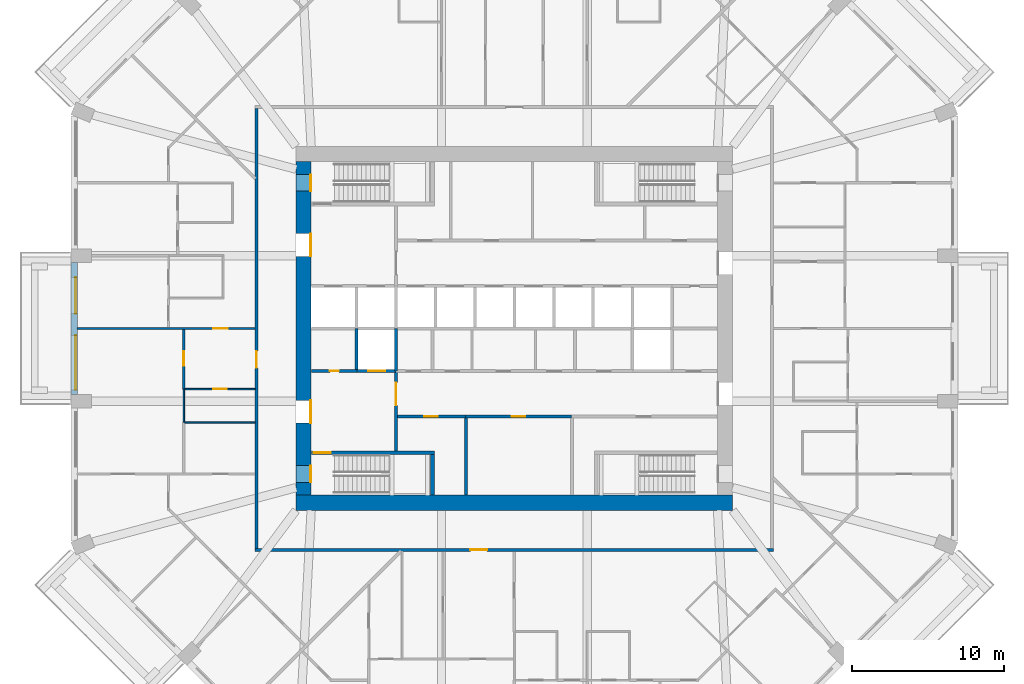
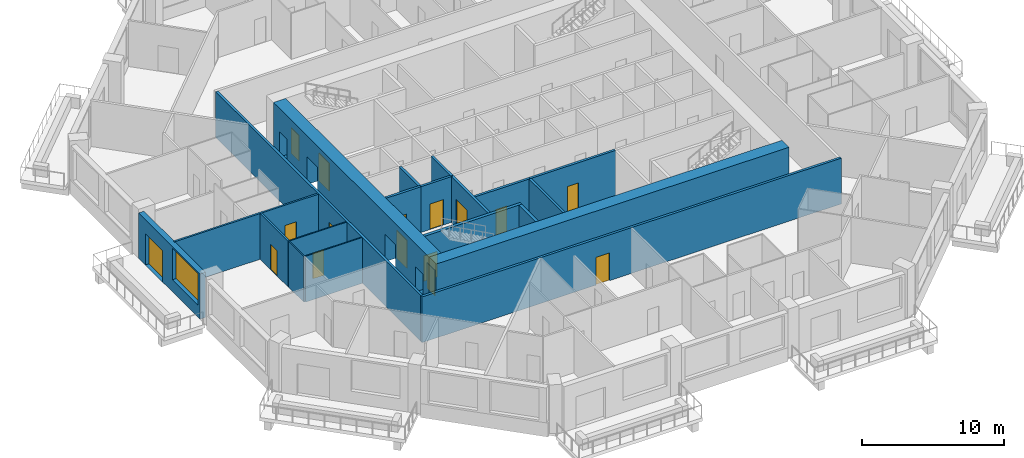
# One storey, part 4 of 13: 20 walls, 16 doors, 1 window, 17 openings.
"""IFC4 building model written with IfcOpenShell, lengths in metres."""

from ifc_helpers import new_model, si_unit, direction, frame, frame_2d, origin, place, context, subcontext, project, spatial, rectangle, extrude, material, layer, layer_set, type_object, element, fill, save


model = new_model("IFC4")

# Units and contexts
model_context = context("Model", 3, precision=1e-05, world=origin(), true_north=direction((0.0, 1.0)))
body_context = subcontext(model_context, "Body", "Model", "MODEL_VIEW")
ifc_project = project(units=[si_unit("LENGTHUNIT", "METRE"), si_unit("AREAUNIT", "SQUARE_METRE"), si_unit("VOLUMEUNIT", "CUBIC_METRE"), si_unit("PLANEANGLEUNIT", "RADIAN"), si_unit("MASSUNIT", "GRAM", prefix="KILO")], contexts=[model_context])

# Site, building, storey
site_placement = place(None, origin())
site = spatial("IfcSite", under=ifc_project, at=site_placement, CompositionType="ELEMENT")
building_placement = place(site_placement, origin())
building = spatial("IfcBuilding", under=site, at=building_placement, Name="Msitu Wima Residences", CompositionType="ELEMENT")
storey_placement = place(building_placement, frame((0.0, 0.0, 75.89990234375)))
storey = spatial("IfcBuildingStorey", under=building, at=storey_placement, Name="L17", CompositionType="ELEMENT", Elevation=75.89990234375)

# Wall, openings, door, window
ifc_material_1 = material(Name="Brick (red buff mix)", Category="masonry")
ifc_layer_1 = layer(ifc_material_1, 0.449951171875)
ifc_layer_set_1 = layer_set([ifc_layer_1], Name="Brick (red buff mix)")
wall_type_1 = type_object("IfcWallType", Name="Brick infill wall BW450", PredefinedType="SOLIDWALL", material=ifc_layer_set_1)
wall_1_placement = place(storey_placement, frame((-29.02490234375, 4.35009765625, 0.0), z_axis=(0.0, 0.0, 1.0), x_axis=(0.0, -1.0, 0.0)))
wall_1 = element("IfcWall", 1, at=wall_1_placement, inside=storey, type_object=wall_type_1, Name="Brick infill wall L17 W1", PredefinedType="SOLIDWALL", context=body_context, shape_type="SweptSolid", body=[
    extrude(rectangle(XDim=8.7001953125, YDim=0.449951171875, at=frame_2d((4.35009765625, 0.0))), origin(), (0.0, 0.0, 1.0), 3.900146484375),
])
opening_1_placement = place(wall_1_placement, frame((0.97509765625, 0.0, 0.0)))
opening_1 = element("IfcOpeningElement", 2, at=opening_1_placement, cuts=wall_1, Name="Opening D16-17.010", PredefinedType="OPENING", context=body_context, shape_type="SweptSolid", body=[
    extrude(rectangle(XDim=2.39990234375, YDim=2.699951171875, at=frame_2d((1.199951171875, 1.35009765625))), frame((0.0, 0.23486328125, 0.0), z_axis=(0.0, -1.0, 0.0), x_axis=(1.0, 0.0, 0.0)), (0.0, 0.0, 1.0), 0.469970703125),
])
opening_2_placement = place(wall_1_placement, frame((4.800048828125, 0.0, 1.050048828125)))
opening_2 = element("IfcOpeningElement", 3, at=opening_2_placement, cuts=wall_1, Name="Opening W16-17.028", PredefinedType="OPENING", context=body_context, shape_type="SweptSolid", body=[
    extrude(rectangle(XDim=3.60009765625, YDim=2.699951171875, at=frame_2d((1.800048828125, 1.35009765625))), frame((0.0, 0.23486328125, 0.0), z_axis=(0.0, -1.0, 0.0), x_axis=(1.0, 0.0, 0.0)), (0.0, 0.0, 1.0), 0.469970703125),
])
ifc_material_2 = material(Name="Anodised aluminium, bronze finish, clear low-emissivity double glazing", Category="aluminium")
door_type_1 = type_object("IfcDoorType", Name="Balcony door D2400x2700", OperationType="SLIDING_TO_LEFT", PredefinedType="DOOR", material=ifc_material_2)
door_1_placement = place(opening_1_placement, origin())
door_1 = element("IfcDoor", 4, at=door_1_placement, inside=storey, type_object=door_type_1, Name="Balcony door L17 W1", OperationType="SINGLE_SWING_LEFT", OverallHeight=2.699951171875, OverallWidth=2.39990234375, PredefinedType="DOOR", context=body_context, shape_type="SweptSolid", body=[
    extrude(rectangle(XDim=2.39990234375, YDim=2.699951171875, at=frame_2d((1.199951171875, 1.35009765625))), frame((0.0, 0.1298828125, 0.0), z_axis=(0.0, -1.0, 0.0), x_axis=(1.0, 0.0, 0.0)), (0.0, 0.0, 1.0), 0.050048828125),
])
fill(opening_1, door_1)
window_type = type_object("IfcWindowType", Name="Window W3600x2700", PartitioningType="DOUBLE_PANEL_VERTICAL", PredefinedType="WINDOW", material=ifc_material_2)
window_placement = place(opening_2_placement, origin())
window = element("IfcWindow", 5, at=window_placement, inside=storey, type_object=window_type, Name="Window L17 W1.2", OverallHeight=2.699951171875, OverallWidth=3.60009765625, PartitioningType="SINGLE_PANEL", PredefinedType="WINDOW", context=body_context, shape_type="SweptSolid", body=[
    extrude(rectangle(XDim=3.60009765625, YDim=2.699951171875, at=frame_2d((1.800048828125, 1.35009765625))), frame((0.0, 0.135009765625, 0.0), z_axis=(0.0, -1.0, 0.0), x_axis=(1.0, 0.0, 0.0)), (0.0, 0.0, 1.0), 0.06005859375),
])
fill(opening_2, window)

# Wall
ifc_material_3 = material(Name="Concrete C80/95", Category="concrete")
ifc_layer_2 = layer(ifc_material_3, 1.0)
ifc_layer_set_2 = layer_set([ifc_layer_2], Name="Concrete C80/95")
wall_type_2 = type_object("IfcWallType", Name="Core wall CW1000 C80/95", PredefinedType="SHEAR", material=ifc_layer_set_2)
wall_2_placement = place(storey_placement, frame((-14.39990234375, -11.5, 0.0), z_axis=(0.0, 0.0, 1.0), x_axis=(1.0, 0.0, 0.0)))
element("IfcWall", 6, at=wall_2_placement, inside=storey, type_object=wall_type_2, Name="Core wall", PredefinedType="SHEAR", context=body_context, shape_type="SweptSolid", body=[
    extrude(rectangle(XDim=28.7998046875, YDim=1.0, at=frame_2d((14.39990234375, 0.0))), origin(), (0.0, 0.0, 1.0), 4.2001953125),
])

# Wall, openings, doors
wall_3_placement = place(storey_placement, frame((-13.89990234375, -11.0, 0.0), z_axis=(0.0, 0.0, 1.0), x_axis=(0.0, 1.0, 0.0)))
wall_3 = element("IfcWall", 7, at=wall_3_placement, inside=storey, type_object=wall_type_2, Name="Core wall", PredefinedType="SHEAR", context=body_context, shape_type="SweptSolid", body=[
    extrude(rectangle(XDim=22.0, YDim=1.0, at=frame_2d((11.0, 0.0))), origin(), (0.0, 0.0, 1.0), 4.2001953125),
])
opening_3_placement = place(wall_3_placement, frame((20.050048828125, 0.0, 0.0)))
opening_3 = element("IfcOpeningElement", 8, at=opening_3_placement, cuts=wall_3, Name="Opening D16-17.036", PredefinedType="OPENING", context=body_context, shape_type="SweptSolid", body=[
    extrude(rectangle(XDim=1.10009765625, YDim=2.199951171875, at=frame_2d((0.550048828125, 1.10009765625))), frame((0.0, 0.510009765625, 0.0), z_axis=(0.0, -1.0, 0.0), x_axis=(1.0, 0.0, 0.0)), (0.0, 0.0, 1.0), 1.02001953125),
])
opening_4_placement = place(wall_3_placement, frame((0.85009765625, 0.0, 0.0)))
opening_4 = element("IfcOpeningElement", 9, at=opening_4_placement, cuts=wall_3, Name="Opening D16-17.038", PredefinedType="OPENING", context=body_context, shape_type="SweptSolid", body=[
    extrude(rectangle(XDim=1.10009765625, YDim=2.199951171875, at=frame_2d((0.550048828125, 1.10009765625))), frame((0.0, 0.510009765625, 0.0), z_axis=(0.0, -1.0, 0.0), x_axis=(1.0, 0.0, 0.0)), (0.0, 0.0, 1.0), 1.02001953125),
])
opening_5_placement = place(wall_3_placement, frame((15.75, 0.0, 0.0)))
opening_5 = element("IfcOpeningElement", 10, at=opening_5_placement, cuts=wall_3, Name="Opening D16-17.016", PredefinedType="OPENING", context=body_context, shape_type="SweptSolid", body=[
    extrude(rectangle(XDim=1.5, YDim=2.39990234375, at=frame_2d((0.75, 1.199951171875))), frame((0.0, 0.510009765625, 0.0), z_axis=(0.0, -1.0, 0.0), x_axis=(1.0, 0.0, 0.0)), (0.0, 0.0, 1.0), 1.02001953125),
])
opening_6_placement = place(wall_3_placement, frame((4.75, 0.0, 0.0)))
opening_6 = element("IfcOpeningElement", 11, at=opening_6_placement, cuts=wall_3, Name="Opening D16-17.018", PredefinedType="OPENING", context=body_context, shape_type="SweptSolid", body=[
    extrude(rectangle(XDim=1.5, YDim=2.39990234375, at=frame_2d((0.75, 1.199951171875))), frame((0.0, 0.510009765625, 0.0), z_axis=(0.0, -1.0, 0.0), x_axis=(1.0, 0.0, 0.0)), (0.0, 0.0, 1.0), 1.02001953125),
])
ifc_material_4 = material(Name="Steel framed glazed door, fire resisting", Category="steel")
door_type_2 = type_object("IfcDoorType", Name="Lobby door D07 1500x2400", OperationType="DOUBLE_DOOR_SINGLE_SWING", PredefinedType="DOOR", material=ifc_material_4)
door_2_placement = place(opening_5_placement, origin())
door_2 = element("IfcDoor", 12, at=door_2_placement, inside=storey, type_object=door_type_2, Name="Lobby door", OperationType="DOUBLE_DOOR_SINGLE_SWING", OverallHeight=2.39990234375, OverallWidth=1.5, PredefinedType="DOOR", context=body_context, shape_type="SweptSolid", body=[
    extrude(rectangle(XDim=1.5, YDim=2.39990234375, at=frame_2d((0.75, 1.199951171875))), frame((0.0, -0.44482421875, 0.0), z_axis=(0.0, -1.0, 0.0), x_axis=(1.0, 0.0, 0.0)), (0.0, 0.0, 1.0), 0.050048828125),
])
fill(opening_5, door_2)
door_3_placement = place(opening_6_placement, origin())
door_3 = element("IfcDoor", 13, at=door_3_placement, inside=storey, type_object=door_type_2, Name="Lobby door", OperationType="DOUBLE_DOOR_SINGLE_SWING", OverallHeight=2.39990234375, OverallWidth=1.5, PredefinedType="DOOR", context=body_context, shape_type="SweptSolid", body=[
    extrude(rectangle(XDim=1.5, YDim=2.39990234375, at=frame_2d((0.75, 1.199951171875))), frame((0.0, -0.44482421875, 0.0), z_axis=(0.0, -1.0, 0.0), x_axis=(1.0, 0.0, 0.0)), (0.0, 0.0, 1.0), 0.050048828125),
])
fill(opening_6, door_3)
ifc_material_5 = material(Name="Steel door, fire resisting, panic bar", Category="steel")
door_type_3 = type_object("IfcDoorType", Name="Stair door D06 1100x2200", OperationType="SINGLE_SWING_LEFT", PredefinedType="DOOR", material=ifc_material_5)
door_4_placement = place(opening_3_placement, origin())
door_4 = element("IfcDoor", 14, at=door_4_placement, inside=storey, type_object=door_type_3, Name="Stair door", OperationType="SINGLE_SWING_RIGHT", OverallHeight=2.199951171875, OverallWidth=1.10009765625, PredefinedType="DOOR", context=body_context, shape_type="SweptSolid", body=[
    extrude(rectangle(XDim=1.10009765625, YDim=2.199951171875, at=frame_2d((0.550048828125, 1.10009765625))), frame((0.0, -0.44482421875, 0.0), z_axis=(0.0, -1.0, 0.0), x_axis=(1.0, 0.0, 0.0)), (0.0, 0.0, 1.0), 0.050048828125),
])
fill(opening_3, door_4)
door_5_placement = place(opening_4_placement, origin())
door_5 = element("IfcDoor", 15, at=door_5_placement, inside=storey, type_object=door_type_3, Name="Stair door", OperationType="SINGLE_SWING_LEFT", OverallHeight=2.199951171875, OverallWidth=1.10009765625, PredefinedType="DOOR", context=body_context, shape_type="SweptSolid", body=[
    extrude(rectangle(XDim=1.10009765625, YDim=2.199951171875, at=frame_2d((0.550048828125, 1.10009765625))), frame((0.0, -0.44482421875, 0.0), z_axis=(0.0, -1.0, 0.0), x_axis=(1.0, 0.0, 0.0)), (0.0, 0.0, 1.0), 0.050048828125),
])
fill(opening_4, door_5)

# Wall, opening, door
ifc_material_6 = material(Name="Plaster")
ifc_layer_3 = layer(ifc_material_6, 0.011962890625, Name="Plaster")
ifc_material_7 = material(Name="Concrete blockwork", Category="masonry")
ifc_layer_4 = layer(ifc_material_7, 0.176025390625, Name="Concrete blockwork")
ifc_layer_5 = layer(ifc_material_6, 0.011962890625, Name="Plaster")
ifc_layer_set_3 = layer_set([ifc_layer_3, ifc_layer_4, ifc_layer_5], Name="Concrete blockwork")
wall_type_3 = type_object("IfcWallType", Name="Corridor wall FW200", PredefinedType="PARTITIONING", material=ifc_layer_set_3)
wall_4_placement = place(storey_placement, frame((-17.0, -14.5, 0.0), z_axis=(0.0, 0.0, 1.0), x_axis=(0.0, 1.0, 0.0)))
wall_4 = element("IfcWall", 16, at=wall_4_placement, inside=storey, type_object=wall_type_3, Name="Corridor wall", PredefinedType="PARTITIONING", context=body_context, shape_type="SweptSolid", body=[
    extrude(rectangle(XDim=29.0, YDim=0.199951171875, at=frame_2d((14.5, 0.0))), origin(), (0.0, 0.0, 1.0), 3.9501953125),
])
opening_7_placement = place(wall_4_placement, frame((11.89990234375, 0.0, 0.0)))
opening_7 = element("IfcOpeningElement", 17, at=opening_7_placement, cuts=wall_4, Name="Opening D16-17.012", PredefinedType="OPENING", context=body_context, shape_type="SweptSolid", body=[
    extrude(rectangle(XDim=1.10009765625, YDim=2.39990234375, at=frame_2d((0.550048828125, 1.199951171875))), frame((0.0, 0.10986328125, 0.0), z_axis=(0.0, -1.0, 0.0), x_axis=(1.0, 0.0, 0.0)), (0.0, 0.0, 1.0), 0.219970703125),
])
ifc_material_8 = material(Name="Timber flush door, fire resisting, self-closing", Category="wood")
door_type_4 = type_object("IfcDoorType", Name="Flat entrance door D01 1100x2400", OperationType="SINGLE_SWING_LEFT", PredefinedType="DOOR", material=ifc_material_8)
door_6_placement = place(opening_7_placement, origin())
door_6 = element("IfcDoor", 18, at=door_6_placement, inside=storey, type_object=door_type_4, Name="Flat entrance door", OperationType="SINGLE_SWING_LEFT", OverallHeight=2.39990234375, OverallWidth=1.10009765625, PredefinedType="DOOR", context=body_context, shape_type="SweptSolid", body=[
    extrude(rectangle(XDim=1.10009765625, YDim=2.39990234375, at=frame_2d((0.550048828125, 1.199951171875))), frame((0.0, 0.02490234375, 0.0), z_axis=(0.0, -1.0, 0.0), x_axis=(1.0, 0.0, 0.0)), (0.0, 0.0, 1.0), 0.050048828125),
])
fill(opening_7, door_6)

wall_5_placement = place(storey_placement, frame((-17.10009765625, -14.60009765625, 0.0), z_axis=(0.0, 0.0, 1.0), x_axis=(1.0, 0.0, 0.0)))
wall_5 = element("IfcWall", 19, at=wall_5_placement, inside=storey, type_object=wall_type_3, Name="Corridor wall", PredefinedType="PARTITIONING", context=body_context, shape_type="SweptSolid", body=[
    extrude(rectangle(XDim=34.2001953125, YDim=0.199951171875, at=frame_2d((17.10009765625, 0.0))), origin(), (0.0, 0.0, 1.0), 3.9501953125),
])
opening_8_placement = place(wall_5_placement, frame((14.199951171875, 0.0, 0.0)))
opening_8 = element("IfcOpeningElement", 20, at=opening_8_placement, cuts=wall_5, Name="Opening D16-17.013", PredefinedType="OPENING", context=body_context, shape_type="SweptSolid", body=[
    extrude(rectangle(XDim=1.10009765625, YDim=2.39990234375, at=frame_2d((0.550048828125, 1.199951171875))), frame((0.0, 0.10986328125, 0.0), z_axis=(0.0, -1.0, 0.0), x_axis=(1.0, 0.0, 0.0)), (0.0, 0.0, 1.0), 0.219970703125),
])
door_7_placement = place(opening_8_placement, origin())
door_7 = element("IfcDoor", 21, at=door_7_placement, inside=storey, type_object=door_type_4, Name="Flat entrance door", OperationType="SINGLE_SWING_RIGHT", OverallHeight=2.39990234375, OverallWidth=1.10009765625, PredefinedType="DOOR", context=body_context, shape_type="SweptSolid", body=[
    extrude(rectangle(XDim=1.10009765625, YDim=2.39990234375, at=frame_2d((0.550048828125, 1.199951171875))), frame((0.0, 0.02490234375, 0.0), z_axis=(0.0, -1.0, 0.0), x_axis=(1.0, 0.0, 0.0)), (0.0, 0.0, 1.0), 0.050048828125),
])
fill(opening_8, door_7)

wall_6_placement = place(storey_placement, frame((-7.800048828125, -8.074951171875, 0.0), z_axis=(0.0, 0.0, 1.0), x_axis=(0.0, 1.0, 0.0)))
wall_6 = element("IfcWall", 22, at=wall_6_placement, inside=storey, type_object=wall_type_3, Name="Corridor wall", PredefinedType="PARTITIONING", context=body_context, shape_type="SweptSolid", body=[
    extrude(rectangle(XDim=5.27490234375, YDim=0.199951171875, at=frame_2d((2.637451171875, 0.0))), origin(), (0.0, 0.0, 1.0), 3.9501953125),
])
opening_9_placement = place(wall_6_placement, frame((3.0, 0.0, 0.0)))
opening_9 = element("IfcOpeningElement", 23, at=opening_9_placement, cuts=wall_6, Name="Opening D16-17.019", PredefinedType="OPENING", context=body_context, shape_type="SweptSolid", body=[
    extrude(rectangle(XDim=1.5, YDim=2.39990234375, at=frame_2d((0.75, 1.199951171875))), frame((0.0, 0.10986328125, 0.0), z_axis=(0.0, -1.0, 0.0), x_axis=(1.0, 0.0, 0.0)), (0.0, 0.0, 1.0), 0.219970703125),
])
door_8_placement = place(opening_9_placement, origin())
door_8 = element("IfcDoor", 24, at=door_8_placement, inside=storey, type_object=door_type_2, Name="Lobby door", OperationType="DOUBLE_DOOR_SINGLE_SWING", OverallHeight=2.39990234375, OverallWidth=1.5, PredefinedType="DOOR", context=body_context, shape_type="SweptSolid", body=[
    extrude(rectangle(XDim=1.5, YDim=2.39990234375, at=frame_2d((0.75, 1.199951171875))), frame((0.0, 0.02490234375, 0.0), z_axis=(0.0, -1.0, 0.0), x_axis=(1.0, 0.0, 0.0)), (0.0, 0.0, 1.0), 0.050048828125),
])
fill(opening_9, door_8)

wall_7_placement = place(storey_placement, frame((-7.699951171875, -5.800048828125, 0.0), z_axis=(0.0, 0.0, 1.0), x_axis=(1.0, 0.0, 0.0)))
wall_7 = element("IfcWall", 25, at=wall_7_placement, inside=storey, type_object=wall_type_3, Name="Corridor wall", PredefinedType="PARTITIONING", context=body_context, shape_type="SweptSolid", body=[
    extrude(rectangle(XDim=4.47998046875, YDim=0.199951171875, at=frame_2d((2.239990234375, 0.0))), origin(), (0.0, 0.0, 1.0), 3.9501953125),
])
opening_10_placement = place(wall_7_placement, frame((1.75, 0.0, 0.0)))
opening_10 = element("IfcOpeningElement", 26, at=opening_10_placement, cuts=wall_7, Name="Opening D16-17.024", PredefinedType="OPENING", context=body_context, shape_type="SweptSolid", body=[
    extrude(rectangle(XDim=0.89990234375, YDim=2.199951171875, at=frame_2d((0.449951171875, 1.10009765625))), frame((0.0, 0.10986328125, 0.0), z_axis=(0.0, -1.0, 0.0), x_axis=(1.0, 0.0, 0.0)), (0.0, 0.0, 1.0), 0.219970703125),
])
ifc_material_9 = material(Name="Timber flush door", Category="wood")
door_type_5 = type_object("IfcDoorType", Name="Service door D05 900x2200", OperationType="SINGLE_SWING_LEFT", PredefinedType="DOOR", material=ifc_material_9)
door_9_placement = place(opening_10_placement, origin())
door_9 = element("IfcDoor", 27, at=door_9_placement, inside=storey, type_object=door_type_5, Name="Service door", OperationType="SINGLE_SWING_RIGHT", OverallHeight=2.199951171875, OverallWidth=0.89990234375, PredefinedType="DOOR", context=body_context, shape_type="SweptSolid", body=[
    extrude(rectangle(XDim=0.89990234375, YDim=2.199951171875, at=frame_2d((0.449951171875, 1.10009765625))), frame((0.0, 0.02490234375, 0.0), z_axis=(0.0, -1.0, 0.0), x_axis=(1.0, 0.0, 0.0)), (0.0, 0.0, 1.0), 0.050048828125),
])
fill(opening_10, door_9)

ifc_layer_6 = layer(ifc_material_6, 0.011962890625, Name="Plaster")
ifc_layer_7 = layer(ifc_material_7, 0.1259765625, Name="Concrete blockwork")
ifc_layer_8 = layer(ifc_material_6, 0.011962890625, Name="Plaster")
ifc_layer_set_4 = layer_set([ifc_layer_6, ifc_layer_7, ifc_layer_8], Name="Concrete blockwork")
wall_type_4 = type_object("IfcWallType", Name="Partition PW150", PredefinedType="PARTITIONING", material=ifc_layer_set_4)
wall_8_placement = place(storey_placement, frame((-28.85498046875, 0.0, 0.0), z_axis=(0.0, 0.0, 1.0), x_axis=(1.0, 0.0, 0.0)))
wall_8 = element("IfcWall", 28, at=wall_8_placement, inside=storey, type_object=wall_type_4, Name="Partition", PredefinedType="PARTITIONING", context=body_context, shape_type="SweptSolid", body=[
    extrude(rectangle(XDim=11.7548828125, YDim=0.14990234375, at=frame_2d((5.87744140625, 0.0))), origin(), (0.0, 0.0, 1.0), 3.9501953125),
])
opening_11_placement = place(wall_8_placement, frame((9.0, 0.0, 0.0)))
opening_11 = element("IfcOpeningElement", 29, at=opening_11_placement, cuts=wall_8, Name="Opening D16-17.046", PredefinedType="OPENING", context=body_context, shape_type="SweptSolid", body=[
    extrude(rectangle(XDim=0.949951171875, YDim=2.199951171875, at=frame_2d((0.47509765625, 1.10009765625))), frame((0.0, 0.0849609375, 0.0), z_axis=(0.0, -1.0, 0.0), x_axis=(1.0, 0.0, 0.0)), (0.0, 0.0, 1.0), 0.169921875),
])
door_type_6 = type_object("IfcDoorType", Name="Room door D12 950x2200", OperationType="SINGLE_SWING_LEFT", PredefinedType="DOOR", material=ifc_material_9)
door_10_placement = place(opening_11_placement, origin())
door_10 = element("IfcDoor", 30, at=door_10_placement, inside=storey, type_object=door_type_6, Name="Room door", OperationType="SINGLE_SWING_RIGHT", OverallHeight=2.199951171875, OverallWidth=0.949951171875, PredefinedType="DOOR", context=body_context, shape_type="SweptSolid", body=[
    extrude(rectangle(XDim=0.949951171875, YDim=2.199951171875, at=frame_2d((0.47509765625, 1.10009765625))), frame((0.0, 0.02490234375, 0.0), z_axis=(0.0, -1.0, 0.0), x_axis=(1.0, 0.0, 0.0)), (0.0, 0.0, 1.0), 0.050048828125),
])
fill(opening_11, door_10)

wall_9_placement = place(storey_placement, frame((-21.800048828125, -4.02001953125, 0.0), z_axis=(0.0, 0.0, 1.0), x_axis=(0.0, 1.0, 0.0)))
wall_9 = element("IfcWall", 31, at=wall_9_placement, inside=storey, type_object=wall_type_4, Name="Partition", PredefinedType="PARTITIONING", context=body_context, shape_type="SweptSolid", body=[
    extrude(rectangle(XDim=3.945068359375, YDim=0.14990234375, at=frame_2d((1.97265625, 0.0))), origin(), (0.0, 0.0, 1.0), 3.9501953125),
])
opening_12_placement = place(wall_9_placement, frame((1.550048828125, 0.0, 0.0)))
opening_12 = element("IfcOpeningElement", 32, at=opening_12_placement, cuts=wall_9, Name="Opening D16-17.047", PredefinedType="OPENING", context=body_context, shape_type="SweptSolid", body=[
    extrude(rectangle(XDim=0.949951171875, YDim=2.199951171875, at=frame_2d((0.47509765625, 1.10009765625))), frame((0.0, 0.0849609375, 0.0), z_axis=(0.0, -1.0, 0.0), x_axis=(1.0, 0.0, 0.0)), (0.0, 0.0, 1.0), 0.169921875),
])
door_11_placement = place(opening_12_placement, origin())
door_11 = element("IfcDoor", 33, at=door_11_placement, inside=storey, type_object=door_type_6, Name="Room door", OperationType="SINGLE_SWING_RIGHT", OverallHeight=2.199951171875, OverallWidth=0.949951171875, PredefinedType="DOOR", context=body_context, shape_type="SweptSolid", body=[
    extrude(rectangle(XDim=0.949951171875, YDim=2.199951171875, at=frame_2d((0.47509765625, 1.10009765625))), frame((0.0, 0.02490234375, 0.0), z_axis=(0.0, -1.0, 0.0), x_axis=(1.0, 0.0, 0.0)), (0.0, 0.0, 1.0), 0.050048828125),
])
fill(opening_12, door_11)

ifc_layer_9 = layer(ifc_material_6, 0.011962890625, Name="Plaster")
ifc_material_10 = material(Name="Reinforced concrete blockwork", Category="masonry")
ifc_layer_10 = layer(ifc_material_10, 0.176025390625, Name="Reinforced concrete blockwork")
ifc_layer_11 = layer(ifc_material_6, 0.011962890625, Name="Plaster")
ifc_layer_set_5 = layer_set([ifc_layer_9, ifc_layer_10, ifc_layer_11], Name="Reinforced concrete blockwork")
wall_type_5 = type_object("IfcWallType", Name="Plant and riser wall PL200", PredefinedType="PARTITIONING", material=ifc_layer_set_5)
wall_10_placement = place(storey_placement, frame((-13.3701171875, -2.800048828125, 0.0), z_axis=(0.0, 0.0, 1.0), x_axis=(1.0, 0.0, 0.0)))
wall_10 = element("IfcWall", 34, at=wall_10_placement, inside=storey, type_object=wall_type_5, Name="Plant and riser wall", PredefinedType="PARTITIONING", context=body_context, shape_type="SweptSolid", body=[
    extrude(rectangle(XDim=2.990234375, YDim=0.199951171875, at=frame_2d((1.4951171875, 0.0))), origin(), (0.0, 0.0, 1.0), 3.9501953125),
])
opening_13_placement = place(wall_10_placement, frame((1.199951171875, 0.0, 0.0)))
opening_13 = element("IfcOpeningElement", 35, at=opening_13_placement, cuts=wall_10, Name="Opening D16-17.030", PredefinedType="OPENING", context=body_context, shape_type="SweptSolid", body=[
    extrude(rectangle(XDim=0.60009765625, YDim=2.0, at=frame_2d((0.300048828125, 1.0))), frame((0.0, 0.10986328125, 0.0), z_axis=(0.0, -1.0, 0.0), x_axis=(1.0, 0.0, 0.0)), (0.0, 0.0, 1.0), 0.219970703125),
])
ifc_material_11 = material(Name="Steel access door, fire resisting", Category="steel")
door_type_7 = type_object("IfcDoorType", Name="Riser access door D08 600x2000", OperationType="SINGLE_SWING_LEFT", PredefinedType="DOOR", material=ifc_material_11)
door_12_placement = place(opening_13_placement, origin())
door_12 = element("IfcDoor", 36, at=door_12_placement, inside=storey, type_object=door_type_7, Name="Riser access door", OperationType="SINGLE_SWING_RIGHT", OverallHeight=2.0, OverallWidth=0.60009765625, PredefinedType="DOOR", context=body_context, shape_type="SweptSolid", body=[
    extrude(rectangle(XDim=0.60009765625, YDim=2.0, at=frame_2d((0.300048828125, 1.0))), frame((0.0, 0.02490234375, 0.0), z_axis=(0.0, -1.0, 0.0), x_axis=(1.0, 0.0, 0.0)), (0.0, 0.0, 1.0), 0.050048828125),
])
fill(opening_13, door_12)

wall_11_placement = place(storey_placement, frame((-3.219970703125, -5.800048828125, 0.0), z_axis=(0.0, 0.0, 1.0), x_axis=(1.0, 0.0, 0.0)))
wall_11 = element("IfcWall", 37, at=wall_11_placement, inside=storey, type_object=wall_type_5, Name="Plant and riser wall", PredefinedType="PARTITIONING", context=body_context, shape_type="SweptSolid", body=[
    extrude(rectangle(XDim=7.0, YDim=0.199951171875, at=frame_2d((3.5, 0.0))), origin(), (0.0, 0.0, 1.0), 3.9501953125),
])
opening_14_placement = place(wall_11_placement, frame((3.050048828125, 0.0, 0.0)))
opening_14 = element("IfcOpeningElement", 38, at=opening_14_placement, cuts=wall_11, Name="Opening D16-17.025", PredefinedType="OPENING", context=body_context, shape_type="SweptSolid", body=[
    extrude(rectangle(XDim=0.89990234375, YDim=2.199951171875, at=frame_2d((0.449951171875, 1.10009765625))), frame((0.0, 0.10986328125, 0.0), z_axis=(0.0, -1.0, 0.0), x_axis=(1.0, 0.0, 0.0)), (0.0, 0.0, 1.0), 0.219970703125),
])
door_13_placement = place(opening_14_placement, origin())
door_13 = element("IfcDoor", 39, at=door_13_placement, inside=storey, type_object=door_type_5, Name="Service door", OperationType="SINGLE_SWING_RIGHT", OverallHeight=2.199951171875, OverallWidth=0.89990234375, PredefinedType="DOOR", context=body_context, shape_type="SweptSolid", body=[
    extrude(rectangle(XDim=0.89990234375, YDim=2.199951171875, at=frame_2d((0.449951171875, 1.10009765625))), frame((0.0, 0.02490234375, 0.0), z_axis=(0.0, -1.0, 0.0), x_axis=(1.0, 0.0, 0.0)), (0.0, 0.0, 1.0), 0.050048828125),
])
fill(opening_14, door_13)

# Walls
wall_12_placement = place(storey_placement, frame((-3.199951171875, -10.969970703125, 0.0), z_axis=(0.0, 0.0, 1.0), x_axis=(0.0, 1.0, 0.0)))
element("IfcWall", 40, at=wall_12_placement, inside=storey, type_object=wall_type_5, Name="Plant and riser wall", PredefinedType="PARTITIONING", context=body_context, shape_type="SweptSolid", body=[
    extrude(rectangle(XDim=5.070068359375, YDim=0.199951171875, at=frame_2d((2.53515625, 0.0))), origin(), (0.0, 0.0, 1.0), 3.9501953125),
])
ifc_material_12 = material(Name="Fire-rated board")
ifc_layer_12 = layer(ifc_material_12, 0.02490234375, Name="Fire-rated board")
ifc_material_13 = material(Name="Light-gauge stud framing with mineral wool")
ifc_layer_13 = layer(ifc_material_13, 0.14990234375, Name="Light-gauge stud framing with mineral wool")
ifc_layer_14 = layer(ifc_material_12, 0.02490234375, Name="Fire-rated board")
ifc_layer_set_6 = layer_set([ifc_layer_12, ifc_layer_13, ifc_layer_14], Name="Light-gauge stud framing with mineral wool")
wall_type_6 = type_object("IfcWallType", Name="Shaft wall SH200", PredefinedType="PARTITIONING", material=ifc_layer_set_6)
wall_13_placement = place(storey_placement, frame((-10.39990234375, -2.699951171875, 0.0), z_axis=(0.0, 0.0, 1.0), x_axis=(0.0, 1.0, 0.0)))
element("IfcWall", 41, at=wall_13_placement, inside=storey, type_object=wall_type_6, Name="Shaft wall", PredefinedType="PARTITIONING", context=body_context, shape_type="SweptSolid", body=[
    extrude(rectangle(XDim=2.699951171875, YDim=0.199951171875, at=frame_2d((1.35009765625, 0.0))), origin(), (0.0, 0.0, 1.0), 3.9501953125),
])

# Wall, opening, door
wall_14_placement = place(storey_placement, frame((-10.3798828125, -2.800048828125, 0.0), z_axis=(0.0, 0.0, 1.0), x_axis=(1.0, 0.0, 0.0)))
wall_14 = element("IfcWall", 42, at=wall_14_placement, inside=storey, type_object=wall_type_6, Name="Shaft wall", PredefinedType="PARTITIONING", context=body_context, shape_type="SweptSolid", body=[
    extrude(rectangle(XDim=2.579833984375, YDim=0.199951171875, at=frame_2d((1.2900390625, 0.0))), origin(), (0.0, 0.0, 1.0), 3.9501953125),
])
opening_15_placement = place(wall_14_placement, frame((0.75, 0.0, 0.0)))
opening_15 = element("IfcOpeningElement", 43, at=opening_15_placement, cuts=wall_14, Name="Opening LD", PredefinedType="OPENING", context=body_context, shape_type="SweptSolid", body=[
    extrude(rectangle(XDim=1.10009765625, YDim=2.199951171875, at=frame_2d((0.550048828125, 1.10009765625))), frame((0.0, 0.10986328125, 0.0), z_axis=(0.0, -1.0, 0.0), x_axis=(1.0, 0.0, 0.0)), (0.0, 0.0, 1.0), 0.219970703125),
])
ifc_material_14 = material(Name="Stainless steel centre-opening landing door, rated", Category="steel")
door_type_8 = type_object("IfcDoorType", Name="Lift landing door LD 1100x2200", OperationType="DOUBLE_DOOR_SLIDING", PredefinedType="DOOR", material=ifc_material_14)
door_14_placement = place(opening_15_placement, origin())
door_14 = element("IfcDoor", 44, at=door_14_placement, inside=storey, type_object=door_type_8, Name="Lift landing door LD3", OperationType="DOUBLE_DOOR_SLIDING", OverallHeight=2.199951171875, OverallWidth=1.10009765625, PredefinedType="DOOR", context=body_context, shape_type="SweptSolid", body=[
    extrude(rectangle(XDim=1.10009765625, YDim=2.199951171875, at=frame_2d((0.550048828125, 1.10009765625))), frame((0.0, 0.02490234375, 0.0), z_axis=(0.0, -1.0, 0.0), x_axis=(1.0, 0.0, 0.0)), (0.0, 0.0, 1.0), 0.050048828125),
])
fill(opening_15, door_14)

# Wall
wall_15_placement = place(storey_placement, frame((-7.800048828125, -2.800048828125, 0.0), z_axis=(0.0, 0.0, 1.0), x_axis=(0.0, 1.0, 0.0)))
element("IfcWall", 45, at=wall_15_placement, inside=storey, type_object=wall_type_6, Name="Shaft wall", PredefinedType="PARTITIONING", context=body_context, shape_type="SweptSolid", body=[
    extrude(rectangle(XDim=2.800048828125, YDim=0.199951171875, at=frame_2d((1.39990234375, 0.0))), origin(), (0.0, 0.0, 1.0), 3.9501953125),
])

# Wall, opening, door
ifc_material_15 = material(Name="Concrete C50/60", Category="concrete")
ifc_layer_15 = layer(ifc_material_15, 0.25)
ifc_layer_set_7 = layer_set([ifc_layer_15], Name="Concrete C50/60")
wall_type_7 = type_object("IfcWallType", Name="Stair enclosure wall SW250", PredefinedType="SHEAR", material=ifc_layer_set_7)
wall_16_placement = place(storey_placement, frame((-13.3701171875, -8.199951171875, 0.0), z_axis=(0.0, 0.0, 1.0), x_axis=(1.0, 0.0, 0.0)))
wall_16 = element("IfcWall", 46, at=wall_16_placement, inside=storey, type_object=wall_type_7, Name="Stair enclosure wall", PredefinedType="SHEAR", context=body_context, shape_type="SweptSolid", body=[
    extrude(rectangle(XDim=8.09521484375, YDim=0.25, at=frame_2d((4.047607421875, 0.0))), origin(), (0.0, 0.0, 1.0), 3.9501953125),
])
opening_16_placement = place(wall_16_placement, frame((0.14990234375, 0.0, 0.0)))
opening_16 = element("IfcOpeningElement", 47, at=opening_16_placement, cuts=wall_16, Name="Opening D16-17.039", PredefinedType="OPENING", context=body_context, shape_type="SweptSolid", body=[
    extrude(rectangle(XDim=1.10009765625, YDim=2.199951171875, at=frame_2d((0.550048828125, 1.10009765625))), frame((0.0, 0.135009765625, 0.0), z_axis=(0.0, -1.0, 0.0), x_axis=(1.0, 0.0, 0.0)), (0.0, 0.0, 1.0), 0.27001953125),
])
door_15_placement = place(opening_16_placement, origin())
door_15 = element("IfcDoor", 48, at=door_15_placement, inside=storey, type_object=door_type_3, Name="Stair door", OperationType="SINGLE_SWING_RIGHT", OverallHeight=2.199951171875, OverallWidth=1.10009765625, PredefinedType="DOOR", context=body_context, shape_type="SweptSolid", body=[
    extrude(rectangle(XDim=1.10009765625, YDim=2.199951171875, at=frame_2d((0.550048828125, 1.10009765625))), frame((0.0, 0.02490234375, 0.0), z_axis=(0.0, -1.0, 0.0), x_axis=(1.0, 0.0, 0.0)), (0.0, 0.0, 1.0), 0.050048828125),
])
fill(opening_16, door_15)

# Walls
wall_17_placement = place(storey_placement, frame((-5.39990234375, -10.969970703125, 0.0), z_axis=(0.0, 0.0, 1.0), x_axis=(0.0, 1.0, 0.0)))
element("IfcWall", 49, at=wall_17_placement, inside=storey, type_object=wall_type_7, Name="Stair enclosure wall", PredefinedType="SHEAR", context=body_context, shape_type="SweptSolid", body=[
    extrude(rectangle(XDim=2.64501953125, YDim=0.25, at=frame_2d((1.322509765625, 0.0))), origin(), (0.0, 0.0, 1.0), 3.9501953125),
])
ifc_material_16 = material(Name="Ceramic tiles")
ifc_layer_16 = layer(ifc_material_16, 0.008056640625, Name="Ceramic tiles")
ifc_material_17 = material(Name="Moisture-resistant board")
ifc_layer_17 = layer(ifc_material_17, 0.012451171875, Name="Moisture-resistant board")
ifc_layer_18 = layer(ifc_material_13, 0.06689453125, Name="Light-gauge stud framing with mineral wool")
ifc_layer_19 = layer(ifc_material_17, 0.012451171875, Name="Moisture-resistant board")
ifc_layer_set_8 = layer_set([ifc_layer_16, ifc_layer_17, ifc_layer_18, ifc_layer_19], Name="Light-gauge stud framing with mineral wool")
wall_type_8 = type_object("IfcWallType", Name="Wet wall PW100", PredefinedType="PARTITIONING", material=ifc_layer_set_8)
wall_18_placement = place(storey_placement, frame((-21.800048828125, -6.179931640625, 0.0), z_axis=(0.0, 0.0, 1.0), x_axis=(0.0, 1.0, 0.0)))
element("IfcWall", 50, at=wall_18_placement, inside=storey, type_object=wall_type_8, Name="Wet wall", PredefinedType="PARTITIONING", context=body_context, shape_type="SweptSolid", body=[
    extrude(rectangle(XDim=2.159912109375, YDim=0.10009765625, at=frame_2d((1.080078125, 0.0))), origin(), (0.0, 0.0, 1.0), 3.9501953125),
])
wall_19_placement = place(storey_placement, frame((-21.72509765625, -6.199951171875, 0.0), z_axis=(0.0, 0.0, 1.0), x_axis=(1.0, 0.0, 0.0)))
element("IfcWall", 51, at=wall_19_placement, inside=storey, type_object=wall_type_8, Name="Wet wall", PredefinedType="PARTITIONING", context=body_context, shape_type="SweptSolid", body=[
    extrude(rectangle(XDim=4.625, YDim=0.10009765625, at=frame_2d((2.3125, 0.0))), origin(), (0.0, 0.0, 1.0), 3.9501953125),
])

# Wall, opening, door
wall_20_placement = place(storey_placement, frame((-21.75, -4.0, 0.0), z_axis=(0.0, 0.0, 1.0), x_axis=(1.0, 0.0, 0.0)))
wall_20 = element("IfcWall", 52, at=wall_20_placement, inside=storey, type_object=wall_type_8, Name="Wet wall", PredefinedType="PARTITIONING", context=body_context, shape_type="SweptSolid", body=[
    extrude(rectangle(XDim=4.64990234375, YDim=0.10009765625, at=frame_2d((2.324951171875, 0.0))), origin(), (0.0, 0.0, 1.0), 3.9501953125),
])
opening_17_placement = place(wall_20_placement, frame((1.89990234375, 0.0, 0.0)))
opening_17 = element("IfcOpeningElement", 53, at=opening_17_placement, cuts=wall_20, Name="Opening D16-17.048", PredefinedType="OPENING", context=body_context, shape_type="SweptSolid", body=[
    extrude(rectangle(XDim=0.89990234375, YDim=2.199951171875, at=frame_2d((0.449951171875, 1.10009765625))), frame((0.0, 0.06005859375, 0.0), z_axis=(0.0, -1.0, 0.0), x_axis=(1.0, 0.0, 0.0)), (0.0, 0.0, 1.0), 0.1201171875),
])
ifc_material_18 = material(Name="Timber flush door, moisture resistant", Category="wood")
door_type_9 = type_object("IfcDoorType", Name="Bathroom door D03 900x2200", OperationType="SINGLE_SWING_LEFT", PredefinedType="DOOR", material=ifc_material_18)
door_16_placement = place(opening_17_placement, origin())
door_16 = element("IfcDoor", 54, at=door_16_placement, inside=storey, type_object=door_type_9, Name="Bathroom door", OperationType="SINGLE_SWING_LEFT", OverallHeight=2.199951171875, OverallWidth=0.89990234375, PredefinedType="DOOR", context=body_context, shape_type="SweptSolid", body=[
    extrude(rectangle(XDim=0.89990234375, YDim=2.199951171875, at=frame_2d((0.449951171875, 1.10009765625))), frame((0.0, 0.02490234375, 0.0), z_axis=(0.0, -1.0, 0.0), x_axis=(1.0, 0.0, 0.0)), (0.0, 0.0, 1.0), 0.050048828125),
])
fill(opening_17, door_16)

save(model, "model.ifc")
